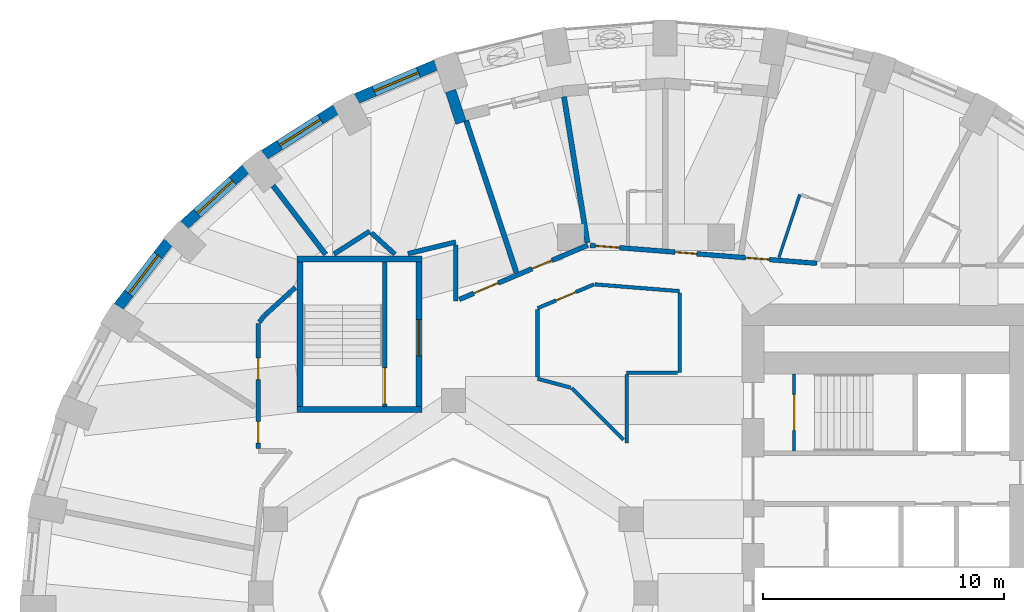
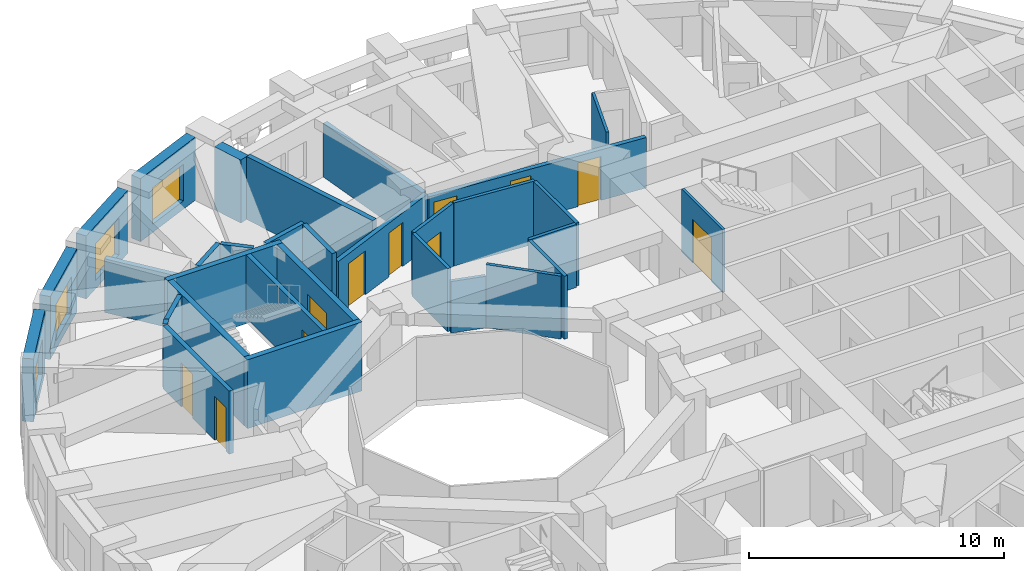
# One storey, part 7 of 12: 32 walls, 11 doors, 4 windows, 15 openings.
"""IFC4 building model written with IfcOpenShell, lengths in metres."""

from ifc_helpers import new_model, si_unit, direction, frame, frame_2d, origin, place, context, subcontext, project, spatial, rectangle, extrude, material, layer, layer_set, type_object, element, fill, save


model = new_model("IFC4")

# Units and contexts
model_context = context("Model", 3, precision=1e-05, world=origin(), true_north=direction((0.0, 1.0)))
body_context = subcontext(model_context, "Body", "Model", "MODEL_VIEW")
ifc_project = project(units=[si_unit("LENGTHUNIT", "METRE"), si_unit("AREAUNIT", "SQUARE_METRE"), si_unit("VOLUMEUNIT", "CUBIC_METRE"), si_unit("PLANEANGLEUNIT", "RADIAN"), si_unit("MASSUNIT", "GRAM", prefix="KILO")], contexts=[model_context])

# Site, building, storey
site_placement = place(None, origin())
site = spatial("IfcSite", under=ifc_project, at=site_placement, CompositionType="ELEMENT")
building_placement = place(site_placement, origin())
building = spatial("IfcBuilding", under=site, at=building_placement, Name="Taillehof Tower", CompositionType="ELEMENT")
storey_placement = place(building_placement, frame((0.0, 0.0, 128.5)))
storey = spatial("IfcBuildingStorey", under=building, at=storey_placement, Name="L36", CompositionType="ELEMENT", Elevation=128.5)

# Wall, opening, window
ifc_material_1 = material(Name="Brick masonry", Category="masonry")
ifc_layer_1 = layer(ifc_material_1, 0.449951171875)
ifc_layer_set_1 = layer_set([ifc_layer_1], Name="Brick infill wall 450")
wall_type_1 = type_object("IfcWallType", Name="Brick infill wall 450", PredefinedType="SOLIDWALL", material=ifc_layer_set_1)
wall_1_placement = place(storey_placement, frame((-8.718017578125, 21.93359375, 0.0), z_axis=(0.0, 0.0, 1.0), x_axis=(-0.920879975612, -0.389846213932, 0.0)))
wall_1 = element("IfcWall", 1, at=wall_1_placement, inside=storey, type_object=wall_type_1, Name="Brick wall L36 bay 12", PredefinedType="SOLIDWALL", context=body_context, shape_type="SweptSolid", body=[
    extrude(rectangle(XDim=3.591552734375, YDim=0.449951171875, at=frame_2d((1.7958984375, 0.0))), origin(), (0.0, 0.0, 1.0), 3.02001953125),
])
opening_1_placement = place(wall_1_placement, frame((0.795654296875, 0.0, 0.39990234375)))
opening_1 = element("IfcOpeningElement", 2, at=opening_1_placement, cuts=wall_1, Name="Opening W2", PredefinedType="OPENING", context=body_context, shape_type="SweptSolid", body=[
    extrude(rectangle(XDim=2.0, YDim=1.75, at=frame_2d((1.0, 0.875))), frame((0.0, 0.23486328125, 0.0), z_axis=(0.0, -1.0, 0.0), x_axis=(1.0, 0.0, 0.0)), (0.0, 0.0, 1.0), 0.469970703125),
])
ifc_material_2 = material(Name="Aluminium window frame with clear double glazing", Category="aluminium")
window_type = type_object("IfcWindowType", Name="Deep-set window 2000x1750", PartitioningType="SINGLE_PANEL", PredefinedType="WINDOW", material=ifc_material_2)
window_1_placement = place(opening_1_placement, origin())
window_1 = element("IfcWindow", 3, at=window_1_placement, inside=storey, type_object=window_type, Name="W2", OverallHeight=1.75, OverallWidth=2.0, PartitioningType="SINGLE_PANEL", PredefinedType="WINDOW", context=body_context, shape_type="SweptSolid", body=[
    extrude(rectangle(XDim=2.0, YDim=1.75, at=frame_2d((1.0, 0.875))), frame((0.0, 0.034912109375, 0.0), z_axis=(0.0, -1.0, 0.0), x_axis=(1.0, 0.0, 0.0)), (0.0, 0.0, 1.0), 0.06005859375),
])
fill(opening_1, window_1)

wall_2_placement = place(storey_placement, frame((-12.87548828125, 20.087158203125, 0.0), z_axis=(0.0, 0.0, 1.0), x_axis=(-0.843860651879, -0.536562391722, 0.0)))
wall_2 = element("IfcWall", 4, at=wall_2_placement, inside=storey, type_object=wall_type_1, Name="Brick wall L36 bay 13", PredefinedType="SOLIDWALL", context=body_context, shape_type="SweptSolid", body=[
    extrude(rectangle(XDim=3.5322265625, YDim=0.449951171875, at=frame_2d((1.76611328125, 0.0))), origin(), (0.0, 0.0, 1.0), 3.02001953125),
])
opening_2_placement = place(wall_2_placement, frame((0.76611328125, 0.0, 0.39990234375)))
opening_2 = element("IfcOpeningElement", 5, at=opening_2_placement, cuts=wall_2, Name="Opening W2", PredefinedType="OPENING", context=body_context, shape_type="SweptSolid", body=[
    extrude(rectangle(XDim=2.0, YDim=1.75, at=frame_2d((1.0, 0.875))), frame((0.0, 0.23486328125, 0.0), z_axis=(0.0, -1.0, 0.0), x_axis=(1.0, 0.0, 0.0)), (0.0, 0.0, 1.0), 0.469970703125),
])
window_2_placement = place(opening_2_placement, origin())
window_2 = element("IfcWindow", 6, at=window_2_placement, inside=storey, type_object=window_type, Name="W2", OverallHeight=1.75, OverallWidth=2.0, PartitioningType="SINGLE_PANEL", PredefinedType="WINDOW", context=body_context, shape_type="SweptSolid", body=[
    extrude(rectangle(XDim=2.0, YDim=1.75, at=frame_2d((1.0, 0.875))), frame((0.0, 0.034912109375, 0.0), z_axis=(0.0, -1.0, 0.0), x_axis=(1.0, 0.0, 0.0)), (0.0, 0.0, 1.0), 0.06005859375),
])
fill(opening_2, window_2)

wall_3_placement = place(storey_placement, frame((-16.61962890625, 17.609619140625, 0.0), z_axis=(0.0, 0.0, 1.0), x_axis=(-0.74032902847, -0.672244694739, 0.0)))
wall_3 = element("IfcWall", 7, at=wall_3_placement, inside=storey, type_object=wall_type_1, Name="Brick wall L36 bay 14", PredefinedType="SOLIDWALL", context=body_context, shape_type="SweptSolid", body=[
    extrude(rectangle(XDim=3.4638671875, YDim=0.449951171875, at=frame_2d((1.73193359375, 0.0))), origin(), (0.0, 0.0, 1.0), 3.02001953125),
])
opening_3_placement = place(wall_3_placement, frame((0.73193359375, 0.0, 0.39990234375)))
opening_3 = element("IfcOpeningElement", 8, at=opening_3_placement, cuts=wall_3, Name="Opening W2", PredefinedType="OPENING", context=body_context, shape_type="SweptSolid", body=[
    extrude(rectangle(XDim=2.0, YDim=1.75, at=frame_2d((1.0, 0.875))), frame((0.0, 0.23486328125, 0.0), z_axis=(0.0, -1.0, 0.0), x_axis=(1.0, 0.0, 0.0)), (0.0, 0.0, 1.0), 0.469970703125),
])
window_3_placement = place(opening_3_placement, origin())
window_3 = element("IfcWindow", 9, at=window_3_placement, inside=storey, type_object=window_type, Name="W2", OverallHeight=1.75, OverallWidth=2.0, PartitioningType="SINGLE_PANEL", PredefinedType="WINDOW", context=body_context, shape_type="SweptSolid", body=[
    extrude(rectangle(XDim=2.0, YDim=1.75, at=frame_2d((1.0, 0.875))), frame((0.0, 0.034912109375, 0.0), z_axis=(0.0, -1.0, 0.0), x_axis=(1.0, 0.0, 0.0)), (0.0, 0.0, 1.0), 0.06005859375),
])
fill(opening_3, window_3)

wall_4_placement = place(storey_placement, frame((-19.835205078125, 14.575439453125, 0.0), z_axis=(0.0, 0.0, 1.0), x_axis=(-0.610693945156, -0.791866721961, 0.0)))
wall_4 = element("IfcWall", 10, at=wall_4_placement, inside=storey, type_object=wall_type_1, Name="Brick wall L36 bay 15", PredefinedType="SOLIDWALL", context=body_context, shape_type="SweptSolid", body=[
    extrude(rectangle(XDim=3.39453125, YDim=0.449951171875, at=frame_2d((1.697265625, 0.0))), origin(), (0.0, 0.0, 1.0), 3.02001953125),
])
opening_4_placement = place(wall_4_placement, frame((0.697265625, 0.0, 0.39990234375)))
opening_4 = element("IfcOpeningElement", 11, at=opening_4_placement, cuts=wall_4, Name="Opening W2", PredefinedType="OPENING", context=body_context, shape_type="SweptSolid", body=[
    extrude(rectangle(XDim=2.0, YDim=1.75, at=frame_2d((1.0, 0.875))), frame((0.0, 0.23486328125, 0.0), z_axis=(0.0, -1.0, 0.0), x_axis=(1.0, 0.0, 0.0)), (0.0, 0.0, 1.0), 0.469970703125),
])
window_4_placement = place(opening_4_placement, origin())
window_4 = element("IfcWindow", 12, at=window_4_placement, inside=storey, type_object=window_type, Name="W2", OverallHeight=1.75, OverallWidth=2.0, PartitioningType="SINGLE_PANEL", PredefinedType="WINDOW", context=body_context, shape_type="SweptSolid", body=[
    extrude(rectangle(XDim=2.0, YDim=1.75, at=frame_2d((1.0, 0.875))), frame((0.0, 0.034912109375, 0.0), z_axis=(0.0, -1.0, 0.0), x_axis=(1.0, 0.0, 0.0)), (0.0, 0.0, 1.0), 0.06005859375),
])
fill(opening_4, window_4)

# Wall
wall_5_placement = place(storey_placement, frame((-8.1142578125, 20.853271484375, 0.0), z_axis=(0.0, 0.0, 1.0), x_axis=(0.314488854508, -0.949261165534, 0.0)))
element("IfcWall", 13, at=wall_5_placement, inside=storey, type_object=wall_type_1, Name="Brick reveal L36 pocket 2", PredefinedType="SOLIDWALL", context=body_context, shape_type="SweptSolid", body=[
    extrude(rectangle(XDim=1.390380859375, YDim=0.449951171875, at=frame_2d((0.6953125, 0.0))), origin(), (0.0, 0.0, 1.0), 3.02001953125),
])

# Wall, openings, doors
ifc_material_3 = material(Name="Gypsum board on steel studs, two layers each side", Category="steel")
ifc_layer_2 = layer(ifc_material_3, 0.199951171875)
ifc_layer_set_2 = layer_set([ifc_layer_2], Name="Compartment wall corridor 200")
wall_type_2 = type_object("IfcWallType", Name="Compartment wall corridor 200", PredefinedType="PARTITIONING", material=ifc_layer_set_2)
wall_6_placement = place(storey_placement, frame((-16.10009765625, 6.0, 0.0), z_axis=(0.0, 0.0, 1.0), x_axis=(0.0, 1.0, 0.0)))
wall_6 = element("IfcWall", 14, at=wall_6_placement, inside=storey, type_object=wall_type_2, Name="Compartment wall", PredefinedType="PARTITIONING", context=body_context, shape_type="SweptSolid", body=[
    extrude(rectangle(XDim=5.192138671875, YDim=0.199951171875, at=frame_2d((2.59619140625, 0.0))), origin(), (0.0, 0.0, 1.0), 3.02001953125),
])
opening_5_placement = place(wall_6_placement, frame((2.856689453125, 0.0, 0.0)))
opening_5 = element("IfcOpeningElement", 15, at=opening_5_placement, cuts=wall_6, Name="Opening D3650", PredefinedType="OPENING", context=body_context, shape_type="SweptSolid", body=[
    extrude(rectangle(XDim=0.89990234375, YDim=2.10009765625, at=frame_2d((0.449951171875, 1.050048828125))), frame((0.0, 0.10986328125, 0.0), z_axis=(0.0, -1.0, 0.0), x_axis=(1.0, 0.0, 0.0)), (0.0, 0.0, 1.0), 0.219970703125),
])
opening_6_placement = place(wall_6_placement, frame((0.219970703125, 0.0, 0.0)))
opening_6 = element("IfcOpeningElement", 16, at=opening_6_placement, cuts=wall_6, Name="Opening D3651", PredefinedType="OPENING", context=body_context, shape_type="SweptSolid", body=[
    extrude(rectangle(XDim=0.89990234375, YDim=2.10009765625, at=frame_2d((0.449951171875, 1.050048828125))), frame((0.0, 0.10986328125, 0.0), z_axis=(0.0, -1.0, 0.0), x_axis=(1.0, 0.0, 0.0)), (0.0, 0.0, 1.0), 0.219970703125),
])
ifc_material_4 = material(Name="Timber door leaf in steel frame", Category="steel")
door_type_1 = type_object("IfcDoorType", Name="Service room door EI 30 900 x 2100", OperationType="SINGLE_SWING_LEFT", PredefinedType="DOOR", material=ifc_material_4)
door_1_placement = place(opening_5_placement, origin())
door_1 = element("IfcDoor", 17, at=door_1_placement, inside=storey, type_object=door_type_1, Name="D3650", OperationType="SINGLE_SWING_LEFT", OverallHeight=2.10009765625, OverallWidth=0.89990234375, PredefinedType="DOOR", context=body_context, shape_type="SweptSolid", body=[
    extrude(rectangle(XDim=0.89990234375, YDim=2.10009765625, at=frame_2d((0.449951171875, 1.050048828125))), frame((0.0, 0.02490234375, 0.0), z_axis=(0.0, -1.0, 0.0), x_axis=(1.0, 0.0, 0.0)), (0.0, 0.0, 1.0), 0.050048828125),
])
fill(opening_5, door_1)
door_2_placement = place(opening_6_placement, origin())
door_2 = element("IfcDoor", 18, at=door_2_placement, inside=storey, type_object=door_type_1, Name="D3651", OperationType="SINGLE_SWING_RIGHT", OverallHeight=2.10009765625, OverallWidth=0.89990234375, PredefinedType="DOOR", context=body_context, shape_type="SweptSolid", body=[
    extrude(rectangle(XDim=0.89990234375, YDim=2.10009765625, at=frame_2d((0.449951171875, 1.050048828125))), frame((0.0, 0.02490234375, 0.0), z_axis=(0.0, -1.0, 0.0), x_axis=(1.0, 0.0, 0.0)), (0.0, 0.0, 1.0), 0.050048828125),
])
fill(opening_6, door_2)

# Walls
wall_7_placement = place(storey_placement, frame((-16.0634765625, 11.23974609375, 0.0), z_axis=(0.0, 0.0, 1.0), x_axis=(0.609744747854, 0.792597844096, 0.0)))
element("IfcWall", 19, at=wall_7_placement, inside=storey, type_object=wall_type_2, Name="Compartment wall", PredefinedType="PARTITIONING", context=body_context, shape_type="SweptSolid", body=[
    extrude(rectangle(XDim=0.34716796875, YDim=0.199951171875, at=frame_2d((0.173583984375, 0.0))), origin(), (0.0, 0.0, 1.0), 3.02001953125),
])
wall_8_placement = place(storey_placement, frame((-15.8369140625, 11.5283203125, 0.0), z_axis=(0.0, 0.0, 1.0), x_axis=(0.739402681643, 0.673263450946, 0.0)))
element("IfcWall", 20, at=wall_8_placement, inside=storey, type_object=wall_type_2, Name="Compartment wall", PredefinedType="PARTITIONING", context=body_context, shape_type="SweptSolid", body=[
    extrude(rectangle(XDim=1.7275390625, YDim=0.199951171875, at=frame_2d((0.86376953125, 0.0))), origin(), (0.0, 0.0, 1.0), 3.02001953125),
])
wall_9_placement = place(storey_placement, frame((-12.957275390625, 14.0771484375, 0.0), z_axis=(0.0, 0.0, 1.0), x_axis=(0.843226410818, 0.537558573645, 0.0)))
element("IfcWall", 21, at=wall_9_placement, inside=storey, type_object=wall_type_2, Name="Compartment wall", PredefinedType="PARTITIONING", context=body_context, shape_type="SweptSolid", body=[
    extrude(rectangle(XDim=1.757080078125, YDim=0.199951171875, at=frame_2d((0.87841796875, 0.0))), origin(), (0.0, 0.0, 1.0), 3.02001953125),
])
wall_10_placement = place(storey_placement, frame((-11.401123046875, 14.95458984375, 0.0), z_axis=(0.0, 0.0, 1.0), x_axis=(0.740594498135, -0.671952222507, 0.0)))
element("IfcWall", 22, at=wall_10_placement, inside=storey, type_object=wall_type_2, Name="Compartment wall", PredefinedType="PARTITIONING", context=body_context, shape_type="SweptSolid", body=[
    extrude(rectangle(XDim=1.31591796875, YDim=0.199951171875, at=frame_2d((0.657958984375, 0.0))), origin(), (0.0, 0.0, 1.0), 3.02001953125),
])
wall_11_placement = place(storey_placement, frame((-9.883544921875, 14.092041015625, 0.0), z_axis=(0.0, 0.0, 1.0), x_axis=(0.971512281799, 0.236989211388, 0.0)))
element("IfcWall", 23, at=wall_11_placement, inside=storey, type_object=wall_type_2, Name="Compartment wall", PredefinedType="PARTITIONING", context=body_context, shape_type="SweptSolid", body=[
    extrude(rectangle(XDim=2.041748046875, YDim=0.199951171875, at=frame_2d((1.02099609375, 0.0))), origin(), (0.0, 0.0, 1.0), 3.02001953125),
])
wall_12_placement = place(storey_placement, frame((-7.89990234375, 14.455810546875, 0.0), z_axis=(0.0, 0.0, 1.0), x_axis=(0.0, -1.0, 0.0)))
element("IfcWall", 24, at=wall_12_placement, inside=storey, type_object=wall_type_2, Name="Compartment wall", PredefinedType="PARTITIONING", context=body_context, shape_type="SweptSolid", body=[
    extrude(rectangle(XDim=2.328369140625, YDim=0.199951171875, at=frame_2d((1.1640625, 0.0))), origin(), (0.0, 0.0, 1.0), 3.02001953125),
])

# Wall, openings, doors
wall_13_placement = place(storey_placement, frame((-7.75341796875, 12.18994140625, 0.0), z_axis=(0.0, 0.0, 1.0), x_axis=(0.921319622993, 0.388806059994, 0.0)))
wall_13 = element("IfcWall", 25, at=wall_13_placement, inside=storey, type_object=wall_type_2, Name="Compartment wall", PredefinedType="PARTITIONING", context=body_context, shape_type="SweptSolid", body=[
    extrude(rectangle(XDim=5.79833984375, YDim=0.199951171875, at=frame_2d((2.899169921875, 0.0))), origin(), (0.0, 0.0, 1.0), 2.570068359375),
])
opening_7_placement = place(wall_13_placement, frame((3.27978515625, 0.0, 0.0)))
opening_7 = element("IfcOpeningElement", 26, at=opening_7_placement, cuts=wall_13, Name="Opening D3648", PredefinedType="OPENING", context=body_context, shape_type="SweptSolid", body=[
    extrude(rectangle(XDim=0.89990234375, YDim=2.10009765625, at=frame_2d((0.449951171875, 1.050048828125))), frame((0.0, 0.10986328125, 0.0), z_axis=(0.0, -1.0, 0.0), x_axis=(1.0, 0.0, 0.0)), (0.0, 0.0, 1.0), 0.219970703125),
])
opening_8_placement = place(wall_13_placement, frame((0.654296875, 0.0, 0.0)))
opening_8 = element("IfcOpeningElement", 27, at=opening_8_placement, cuts=wall_13, Name="Opening D3649", PredefinedType="OPENING", context=body_context, shape_type="SweptSolid", body=[
    extrude(rectangle(XDim=1.10009765625, YDim=2.10009765625, at=frame_2d((0.550048828125, 1.050048828125))), frame((0.0, 0.10986328125, 0.0), z_axis=(0.0, -1.0, 0.0), x_axis=(1.0, 0.0, 0.0)), (0.0, 0.0, 1.0), 0.219970703125),
])
door_3_placement = place(opening_7_placement, origin())
door_3 = element("IfcDoor", 28, at=door_3_placement, inside=storey, type_object=door_type_1, Name="D3648", OperationType="SINGLE_SWING_LEFT", OverallHeight=2.10009765625, OverallWidth=0.89990234375, PredefinedType="DOOR", context=body_context, shape_type="SweptSolid", body=[
    extrude(rectangle(XDim=0.89990234375, YDim=2.10009765625, at=frame_2d((0.449951171875, 1.050048828125))), frame((0.0, 0.02490234375, 0.0), z_axis=(0.0, -1.0, 0.0), x_axis=(1.0, 0.0, 0.0)), (0.0, 0.0, 1.0), 0.050048828125),
])
fill(opening_7, door_3)
ifc_material_5 = material(Name="Timber door leaf in steel frame", Category="steel")
door_type_2 = type_object("IfcDoorType", Name="Suite entrance door EI 30 1100 x 2100", OperationType="SINGLE_SWING_LEFT", PredefinedType="DOOR", material=ifc_material_5)
door_4_placement = place(opening_8_placement, origin())
door_4 = element("IfcDoor", 29, at=door_4_placement, inside=storey, type_object=door_type_2, Name="D3649", OperationType="SINGLE_SWING_RIGHT", OverallHeight=2.10009765625, OverallWidth=1.10009765625, PredefinedType="DOOR", context=body_context, shape_type="SweptSolid", body=[
    extrude(rectangle(XDim=1.10009765625, YDim=2.10009765625, at=frame_2d((0.550048828125, 1.050048828125))), frame((0.0, 0.02490234375, 0.0), z_axis=(0.0, -1.0, 0.0), x_axis=(1.0, 0.0, 0.0)), (0.0, 0.0, 1.0), 0.050048828125),
])
fill(opening_8, door_4)

wall_14_placement = place(storey_placement, frame((-2.311279296875, 14.43701171875, 0.0), z_axis=(0.0, 0.0, 1.0), x_axis=(0.996870762165, -0.079048615048, 0.0)))
wall_14 = element("IfcWall", 30, at=wall_14_placement, inside=storey, type_object=wall_type_2, Name="Compartment wall", PredefinedType="PARTITIONING", context=body_context, shape_type="SweptSolid", body=[
    extrude(rectangle(XDim=9.444580078125, YDim=0.199951171875, at=frame_2d((4.72216796875, 0.0))), origin(), (0.0, 0.0, 1.0), 2.419921875),
])
opening_9_placement = place(wall_14_placement, frame((6.471435546875, 0.0, 0.0)))
opening_9 = element("IfcOpeningElement", 31, at=opening_9_placement, cuts=wall_14, Name="Opening D3643", PredefinedType="OPENING", context=body_context, shape_type="SweptSolid", body=[
    extrude(rectangle(XDim=1.0, YDim=2.10009765625, at=frame_2d((0.5, 1.050048828125))), frame((0.0, 0.10986328125, 0.0), z_axis=(0.0, -1.0, 0.0), x_axis=(1.0, 0.0, 0.0)), (0.0, 0.0, 1.0), 0.219970703125),
])
opening_10_placement = place(wall_14_placement, frame((3.533447265625, 0.0, 0.0)))
opening_10 = element("IfcOpeningElement", 32, at=opening_10_placement, cuts=wall_14, Name="Opening D3645", PredefinedType="OPENING", context=body_context, shape_type="SweptSolid", body=[
    extrude(rectangle(XDim=0.89990234375, YDim=2.10009765625, at=frame_2d((0.449951171875, 1.050048828125))), frame((0.0, 0.10986328125, 0.0), z_axis=(0.0, -1.0, 0.0), x_axis=(1.0, 0.0, 0.0)), (0.0, 0.0, 1.0), 0.219970703125),
])
opening_11_placement = place(wall_14_placement, frame((0.219970703125, 0.0, 0.0)))
opening_11 = element("IfcOpeningElement", 33, at=opening_11_placement, cuts=wall_14, Name="Opening D3646", PredefinedType="OPENING", context=body_context, shape_type="SweptSolid", body=[
    extrude(rectangle(XDim=1.0, YDim=2.10009765625, at=frame_2d((0.5, 1.050048828125))), frame((0.0, 0.10986328125, 0.0), z_axis=(0.0, -1.0, 0.0), x_axis=(1.0, 0.0, 0.0)), (0.0, 0.0, 1.0), 0.219970703125),
])
ifc_material_6 = material(Name="Timber door leaf in steel frame", Category="steel")
door_type_3 = type_object("IfcDoorType", Name="Guest room door EI 30 1000 x 2100", OperationType="SINGLE_SWING_LEFT", PredefinedType="DOOR", material=ifc_material_6)
door_5_placement = place(opening_9_placement, origin())
door_5 = element("IfcDoor", 34, at=door_5_placement, inside=storey, type_object=door_type_3, Name="D3643", OperationType="SINGLE_SWING_LEFT", OverallHeight=2.10009765625, OverallWidth=1.0, PredefinedType="DOOR", context=body_context, shape_type="SweptSolid", body=[
    extrude(rectangle(XDim=1.0, YDim=2.10009765625, at=frame_2d((0.5, 1.050048828125))), frame((0.0, 0.02490234375, 0.0), z_axis=(0.0, -1.0, 0.0), x_axis=(1.0, 0.0, 0.0)), (0.0, 0.0, 1.0), 0.050048828125),
])
fill(opening_9, door_5)
door_6_placement = place(opening_11_placement, origin())
door_6 = element("IfcDoor", 35, at=door_6_placement, inside=storey, type_object=door_type_3, Name="D3646", OperationType="SINGLE_SWING_LEFT", OverallHeight=2.10009765625, OverallWidth=1.0, PredefinedType="DOOR", context=body_context, shape_type="SweptSolid", body=[
    extrude(rectangle(XDim=1.0, YDim=2.10009765625, at=frame_2d((0.5, 1.050048828125))), frame((0.0, 0.02490234375, 0.0), z_axis=(0.0, -1.0, 0.0), x_axis=(1.0, 0.0, 0.0)), (0.0, 0.0, 1.0), 0.050048828125),
])
fill(opening_11, door_6)
door_7_placement = place(opening_10_placement, origin())
door_7 = element("IfcDoor", 36, at=door_7_placement, inside=storey, type_object=door_type_1, Name="D3645", OperationType="SINGLE_SWING_LEFT", OverallHeight=2.10009765625, OverallWidth=0.89990234375, PredefinedType="DOOR", context=body_context, shape_type="SweptSolid", body=[
    extrude(rectangle(XDim=0.89990234375, YDim=2.10009765625, at=frame_2d((0.449951171875, 1.050048828125))), frame((0.0, 0.02490234375, 0.0), z_axis=(0.0, -1.0, 0.0), x_axis=(1.0, 0.0, 0.0)), (0.0, 0.0, 1.0), 0.050048828125),
])
fill(opening_10, door_7)

# Walls
ifc_material_7 = material(Name="Gypsum board on double steel studs with mineral wool", Category="steel")
ifc_layer_3 = layer(ifc_material_7, 0.219970703125)
ifc_layer_set_3 = layer_set([ifc_layer_3], Name="Compartment wall guest room 220")
wall_type_3 = type_object("IfcWallType", Name="Compartment wall guest room 220", PredefinedType="PARTITIONING", material=ifc_layer_set_3)
wall_15_placement = place(storey_placement, frame((-3.40185546875, 20.614013671875, 0.0), z_axis=(0.0, 0.0, 1.0), x_axis=(0.158510822082, -0.987357239951, 0.0)))
element("IfcWall", 37, at=wall_15_placement, inside=storey, type_object=wall_type_3, Name="Compartment wall", PredefinedType="PARTITIONING", context=body_context, shape_type="SweptSolid", body=[
    extrude(rectangle(XDim=6.1484375, YDim=0.219970703125, at=frame_2d((3.07421875, 0.0))), origin(), (0.0, 0.0, 1.0), 2.570068359375),
])
wall_16_placement = place(storey_placement, frame((-7.46923828125, 19.621826171875, 0.0), z_axis=(0.0, 0.0, 1.0), x_axis=(0.314539081996, -0.949244523765, 0.0)))
element("IfcWall", 38, at=wall_16_placement, inside=storey, type_object=wall_type_3, Name="Compartment wall", PredefinedType="PARTITIONING", context=body_context, shape_type="SweptSolid", body=[
    extrude(rectangle(XDim=6.637939453125, YDim=0.219970703125, at=frame_2d((3.31884765625, 0.0))), origin(), (0.0, 0.0, 1.0), 3.02001953125),
])
wall_17_placement = place(storey_placement, frame((-15.4892578125, 16.9208984375, 0.0), z_axis=(0.0, 0.0, 1.0), x_axis=(0.607057591547, -0.794657838661, 0.0)))
element("IfcWall", 39, at=wall_17_placement, inside=storey, type_object=wall_type_3, Name="Compartment wall", PredefinedType="PARTITIONING", context=body_context, shape_type="SweptSolid", body=[
    extrude(rectangle(XDim=3.602294921875, YDim=0.219970703125, at=frame_2d((1.80126953125, 0.0))), origin(), (0.0, 0.0, 1.0), 2.570068359375),
])

# Wall, opening, door
ifc_material_8 = material(Name="Gypsum board on steel studs, two layers each side", Category="steel")
ifc_layer_4 = layer(ifc_material_8, 0.14990234375)
ifc_layer_set_4 = layer_set([ifc_layer_4], Name="Compartment wall service room 150")
wall_type_4 = type_object("IfcWallType", Name="Compartment wall service room 150", PredefinedType="PARTITIONING", material=ifc_layer_set_4)
wall_18_placement = place(storey_placement, frame((-4.5, 11.825927734375, 0.0), z_axis=(0.0, 0.0, 1.0), x_axis=(0.921264033472, 0.388937759329, 0.0)))
wall_18 = element("IfcWall", 40, at=wall_18_placement, inside=storey, type_object=wall_type_4, Name="Compartment wall", PredefinedType="PARTITIONING", context=body_context, shape_type="SweptSolid", body=[
    extrude(rectangle(XDim=2.55224609375, YDim=0.14990234375, at=frame_2d((1.276123046875, 0.0))), origin(), (0.0, 0.0, 1.0), 3.02001953125),
])
opening_12_placement = place(wall_18_placement, frame((0.826171875, 0.0, 0.0)))
opening_12 = element("IfcOpeningElement", 41, at=opening_12_placement, cuts=wall_18, Name="Opening D3668", PredefinedType="OPENING", context=body_context, shape_type="SweptSolid", body=[
    extrude(rectangle(XDim=0.89990234375, YDim=2.10009765625, at=frame_2d((0.449951171875, 1.050048828125))), frame((0.0, 0.0849609375, 0.0), z_axis=(0.0, -1.0, 0.0), x_axis=(1.0, 0.0, 0.0)), (0.0, 0.0, 1.0), 0.169921875),
])
door_8_placement = place(opening_12_placement, origin())
door_8 = element("IfcDoor", 42, at=door_8_placement, inside=storey, type_object=door_type_1, Name="D3668", OperationType="SINGLE_SWING_RIGHT", OverallHeight=2.10009765625, OverallWidth=0.89990234375, PredefinedType="DOOR", context=body_context, shape_type="SweptSolid", body=[
    extrude(rectangle(XDim=0.89990234375, YDim=2.10009765625, at=frame_2d((0.449951171875, 1.050048828125))), frame((0.0, 0.02490234375, 0.0), z_axis=(0.0, -1.0, 0.0), x_axis=(1.0, 0.0, 0.0)), (0.0, 0.0, 1.0), 0.050048828125),
])
fill(opening_12, door_8)

# Walls
wall_19_placement = place(storey_placement, frame((-2.108642578125, 12.815673828125, 0.0), z_axis=(0.0, 0.0, 1.0), x_axis=(0.996868431192, -0.079078005119, 0.0)))
element("IfcWall", 43, at=wall_19_placement, inside=storey, type_object=wall_type_4, Name="Compartment wall", PredefinedType="PARTITIONING", context=body_context, shape_type="SweptSolid", body=[
    extrude(rectangle(XDim=3.51953125, YDim=0.14990234375, at=frame_2d((1.759765625, 0.0))), origin(), (0.0, 0.0, 1.0), 3.02001953125),
])
wall_20_placement = place(storey_placement, frame((1.39990234375, 12.457275390625, 0.0), z_axis=(0.0, 0.0, 1.0), x_axis=(0.0, -1.0, 0.0)))
element("IfcWall", 44, at=wall_20_placement, inside=storey, type_object=wall_type_4, Name="Compartment wall", PredefinedType="PARTITIONING", context=body_context, shape_type="SweptSolid", body=[
    extrude(rectangle(XDim=3.307373046875, YDim=0.14990234375, at=frame_2d((1.65380859375, 0.0))), origin(), (0.0, 0.0, 1.0), 3.02001953125),
])
wall_21_placement = place(storey_placement, frame((1.31982421875, 9.14990234375, 0.0), z_axis=(0.0, 0.0, 1.0), x_axis=(-1.0, 0.0, 0.0)))
element("IfcWall", 45, at=wall_21_placement, inside=storey, type_object=wall_type_4, Name="Compartment wall", PredefinedType="PARTITIONING", context=body_context, shape_type="SweptSolid", body=[
    extrude(rectangle(XDim=2.119873046875, YDim=0.14990234375, at=frame_2d((1.06005859375, 0.0))), origin(), (0.0, 0.0, 1.0), 3.02001953125),
])
wall_22_placement = place(storey_placement, frame((-0.800048828125, 9.06982421875, 0.0), z_axis=(0.0, 0.0, 1.0), x_axis=(0.0, -1.0, 0.0)))
element("IfcWall", 46, at=wall_22_placement, inside=storey, type_object=wall_type_4, Name="Compartment wall", PredefinedType="PARTITIONING", context=body_context, shape_type="SweptSolid", body=[
    extrude(rectangle(XDim=2.834716796875, YDim=0.14990234375, at=frame_2d((1.41748046875, 0.0))), origin(), (0.0, 0.0, 1.0), 3.02001953125),
])
wall_23_placement = place(storey_placement, frame((-0.927490234375, 6.362548828125, 0.0), z_axis=(0.0, 0.0, 1.0), x_axis=(-0.707106781187, 0.707106781187, 0.0)))
element("IfcWall", 47, at=wall_23_placement, inside=storey, type_object=wall_type_4, Name="Compartment wall", PredefinedType="PARTITIONING", context=body_context, shape_type="SweptSolid", body=[
    extrude(rectangle(XDim=3.047607421875, YDim=0.14990234375, at=frame_2d((1.52392578125, 0.0))), origin(), (0.0, 0.0, 1.0), 3.02001953125),
])
wall_24_placement = place(storey_placement, frame((-3.12109375, 8.52783203125, 0.0), z_axis=(0.0, 0.0, 1.0), x_axis=(-0.965941945062, 0.258758881529, 0.0)))
element("IfcWall", 48, at=wall_24_placement, inside=storey, type_object=wall_type_4, Name="Compartment wall", PredefinedType="PARTITIONING", context=body_context, shape_type="SweptSolid", body=[
    extrude(rectangle(XDim=1.427490234375, YDim=0.14990234375, at=frame_2d((0.7138671875, 0.0))), origin(), (0.0, 0.0, 1.0), 2.469970703125),
])
wall_25_placement = place(storey_placement, frame((-4.5, 8.977294921875, 0.0), z_axis=(0.0, 0.0, 1.0), x_axis=(0.0, 1.0, 0.0)))
element("IfcWall", 49, at=wall_25_placement, inside=storey, type_object=wall_type_4, Name="Compartment wall", PredefinedType="PARTITIONING", context=body_context, shape_type="SweptSolid", body=[
    extrude(rectangle(XDim=2.78857421875, YDim=0.14990234375, at=frame_2d((1.394287109375, 0.0))), origin(), (0.0, 0.0, 1.0), 3.02001953125),
])
ifc_material_9 = material(Name="Gypsum board on steel studs, moisture resistant", Category="steel")
ifc_layer_5 = layer(ifc_material_9, 0.1201171875)
ifc_layer_set_5 = layer_set([ifc_layer_5], Name="En-suite wall 120")
wall_type_5 = type_object("IfcWallType", Name="En-suite wall 120", PredefinedType="PARTITIONING", material=ifc_layer_set_5)
wall_26_placement = place(storey_placement, frame((5.529052734375, 13.93505859375, 0.0), z_axis=(0.0, 0.0, 1.0), x_axis=(0.31455402028, 0.949239573725, 0.0)))
element("IfcWall", 50, at=wall_26_placement, inside=storey, type_object=wall_type_5, Name="En-suite wall", PredefinedType="PARTITIONING", context=body_context, shape_type="SweptSolid", body=[
    extrude(rectangle(XDim=2.757568359375, YDim=0.1201171875, at=frame_2d((1.37890625, 0.0))), origin(), (0.0, 0.0, 1.0), 3.02001953125),
])

# Wall, opening, door
ifc_material_10 = material(Name="Concrete C50/60", Category="concrete")
ifc_layer_6 = layer(ifc_material_10, 0.199951171875)
ifc_layer_set_6 = layer_set([ifc_layer_6], Name="Shaft wall C50/60 200")
wall_type_6 = type_object("IfcWallType", Name="Shaft wall C50/60 200", PredefinedType="SHEAR", material=ifc_layer_set_6)
wall_27_placement = place(storey_placement, frame((-10.85009765625, 7.75, 0.0), z_axis=(0.0, 0.0, 1.0), x_axis=(0.0, 1.0, 0.0)))
wall_27 = element("IfcWall", 51, at=wall_27_placement, inside=storey, type_object=wall_type_6, Name="Shaft wall SW", PredefinedType="SHEAR", context=body_context, shape_type="SweptSolid", body=[
    extrude(rectangle(XDim=6.0, YDim=0.199951171875, at=frame_2d((3.0, 0.0))), origin(), (0.0, 0.0, 1.0), 3.02001953125),
])
opening_13_placement = place(wall_27_placement, frame((0.10009765625, 0.0, 0.0)))
opening_13 = element("IfcOpeningElement", 52, at=opening_13_placement, cuts=wall_27, Name="Opening D3612", PredefinedType="OPENING", context=body_context, shape_type="SweptSolid", body=[
    extrude(rectangle(XDim=1.5, YDim=2.10009765625, at=frame_2d((0.75, 1.050048828125))), frame((0.0, 0.10986328125, 0.0), z_axis=(0.0, -1.0, 0.0), x_axis=(1.0, 0.0, 0.0)), (0.0, 0.0, 1.0), 0.219970703125),
])
ifc_material_11 = material(Name="Steel-faced fire door", Category="steel")
door_type_4 = type_object("IfcDoorType", Name="Stair door 1500x2100", OperationType="DOUBLE_DOOR_SINGLE_SWING", PredefinedType="DOOR", material=ifc_material_11)
door_9_placement = place(opening_13_placement, origin())
door_9 = element("IfcDoor", 53, at=door_9_placement, inside=storey, type_object=door_type_4, Name="Stair lobby door S3", OperationType="DOUBLE_DOOR_SINGLE_SWING", OverallHeight=2.10009765625, OverallWidth=1.5, PredefinedType="DOOR", context=body_context, shape_type="SweptSolid", body=[
    extrude(rectangle(XDim=1.5, YDim=2.10009765625, at=frame_2d((0.75, 1.050048828125))), frame((0.0, 0.02490234375, 0.0), z_axis=(0.0, -1.0, 0.0), x_axis=(1.0, 0.0, 0.0)), (0.0, 0.0, 1.0), 0.050048828125),
])
fill(opening_13, door_9)

ifc_material_12 = material(Name="Concrete C50/60", Category="concrete")
ifc_layer_7 = layer(ifc_material_12, 0.1201171875)
ifc_layer_set_7 = layer_set([ifc_layer_7], Name="Stair lobby wall C50/60 120")
wall_type_7 = type_object("IfcWallType", Name="Stair lobby wall C50/60 120", PredefinedType="SHEAR", material=ifc_layer_set_7)
wall_28_placement = place(storey_placement, frame((6.159912109375, 5.89990234375, 0.0), z_axis=(0.0, 0.0, 1.0), x_axis=(0.0, 1.0, 0.0)))
wall_28 = element("IfcWall", 54, at=wall_28_placement, inside=storey, type_object=wall_type_7, Name="Compartment wall SW", PredefinedType="SHEAR", context=body_context, shape_type="SweptSolid", body=[
    extrude(rectangle(XDim=3.2001953125, YDim=0.1201171875, at=frame_2d((1.60009765625, 0.0))), origin(), (0.0, 0.0, 1.0), 3.02001953125),
])
opening_14_placement = place(wall_28_placement, frame((0.85009765625, 0.0, 0.0)))
opening_14 = element("IfcOpeningElement", 55, at=opening_14_placement, cuts=wall_28, Name="Opening D3610", PredefinedType="OPENING", context=body_context, shape_type="SweptSolid", body=[
    extrude(rectangle(XDim=1.5, YDim=2.10009765625, at=frame_2d((0.75, 1.050048828125))), frame((0.0, 0.070068359375, 0.0), z_axis=(0.0, -1.0, 0.0), x_axis=(1.0, 0.0, 0.0)), (0.0, 0.0, 1.0), 0.14013671875),
])
door_10_placement = place(opening_14_placement, origin())
door_10 = element("IfcDoor", 56, at=door_10_placement, inside=storey, type_object=door_type_4, Name="Stair lobby door S1", OperationType="DOUBLE_DOOR_SINGLE_SWING", OverallHeight=2.10009765625, OverallWidth=1.5, PredefinedType="DOOR", context=body_context, shape_type="SweptSolid", body=[
    extrude(rectangle(XDim=1.5, YDim=2.10009765625, at=frame_2d((0.75, 1.050048828125))), frame((0.0, 0.02490234375, 0.0), z_axis=(0.0, -1.0, 0.0), x_axis=(1.0, 0.0, 0.0)), (0.0, 0.0, 1.0), 0.050048828125),
])
fill(opening_14, door_10)

# Wall
ifc_material_13 = material(Name="Concrete C50/60", Category="concrete")
ifc_layer_8 = layer(ifc_material_13, 0.25)
ifc_layer_set_8 = layer_set([ifc_layer_8], Name="Stair wall C50/60 250")
wall_type_8 = type_object("IfcWallType", Name="Stair wall C50/60 250", PredefinedType="SHEAR", material=ifc_layer_set_8)
wall_29_placement = place(storey_placement, frame((-14.375, 7.75, -0.280029296875), z_axis=(0.0, 0.0, 1.0), x_axis=(0.0, 1.0, 0.0)))
element("IfcWall", 57, at=wall_29_placement, inside=storey, type_object=wall_type_8, Name="Stair wall SC", PredefinedType="SHEAR", context=body_context, shape_type="SweptSolid", body=[
    extrude(rectangle(XDim=6.0, YDim=0.25, at=frame_2d((3.0, 0.0))), origin(), (0.0, 0.0, 1.0), 3.300048828125),
])

# Wall, opening, door
wall_30_placement = place(storey_placement, frame((-9.425048828125, 7.75, -0.280029296875), z_axis=(0.0, 0.0, 1.0), x_axis=(0.0, 1.0, 0.0)))
wall_30 = element("IfcWall", 58, at=wall_30_placement, inside=storey, type_object=wall_type_8, Name="Stair wall SC", PredefinedType="SHEAR", context=body_context, shape_type="SweptSolid", body=[
    extrude(rectangle(XDim=6.0, YDim=0.25, at=frame_2d((3.0, 0.0))), origin(), (0.0, 0.0, 1.0), 3.300048828125),
])
opening_15_placement = place(wall_30_placement, frame((2.10009765625, 0.0, 0.280029296875)))
opening_15 = element("IfcOpeningElement", 59, at=opening_15_placement, cuts=wall_30, Name="Opening D3619", PredefinedType="OPENING", context=body_context, shape_type="SweptSolid", body=[
    extrude(rectangle(XDim=1.5, YDim=2.10009765625, at=frame_2d((0.75, 1.050048828125))), frame((0.0, 0.135009765625, 0.0), z_axis=(0.0, -1.0, 0.0), x_axis=(1.0, 0.0, 0.0)), (0.0, 0.0, 1.0), 0.27001953125),
])
door_11_placement = place(opening_15_placement, origin())
door_11 = element("IfcDoor", 60, at=door_11_placement, inside=storey, type_object=door_type_4, Name="Stair door S3", OperationType="DOUBLE_DOOR_SINGLE_SWING", OverallHeight=2.10009765625, OverallWidth=1.5, PredefinedType="DOOR", context=body_context, shape_type="SweptSolid", body=[
    extrude(rectangle(XDim=1.5, YDim=2.10009765625, at=frame_2d((0.75, 1.050048828125))), frame((0.0, 0.02490234375, 0.0), z_axis=(0.0, -1.0, 0.0), x_axis=(1.0, 0.0, 0.0)), (0.0, 0.0, 1.0), 0.050048828125),
])
fill(opening_15, door_11)

# Walls
for number, where, z_axis, x_axis, name in (
    (61, (-14.5, 13.875, -0.280029296875), (0.0, 0.0, 1.0), (1.0, 0.0, 0.0), "Stair wall SC"),
    (62, (-14.5, 7.625, -0.280029296875), (0.0, 0.0, 1.0), (1.0, 0.0, 0.0), "Stair wall SC"),
):
    element("IfcWall", number, at=place(storey_placement, frame(where, z_axis=z_axis, x_axis=x_axis)), inside=storey, type_object=wall_type_8, Name=name, PredefinedType="SHEAR", context=body_context, shape_type="SweptSolid", body=[
        extrude(rectangle(XDim=5.199951171875, YDim=0.25, at=frame_2d((2.60009765625, 0.0))), origin(), (0.0, 0.0, 1.0), 3.300048828125),
    ])

save(model, "model.ifc")
